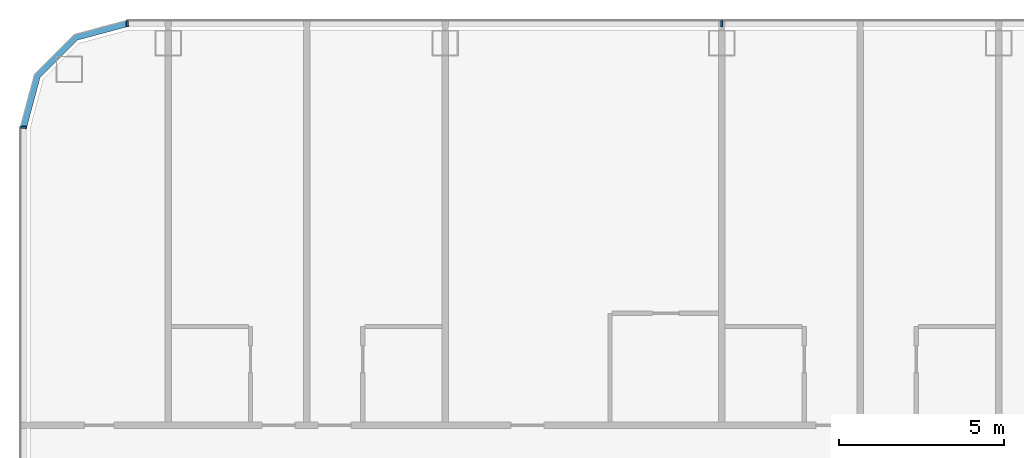
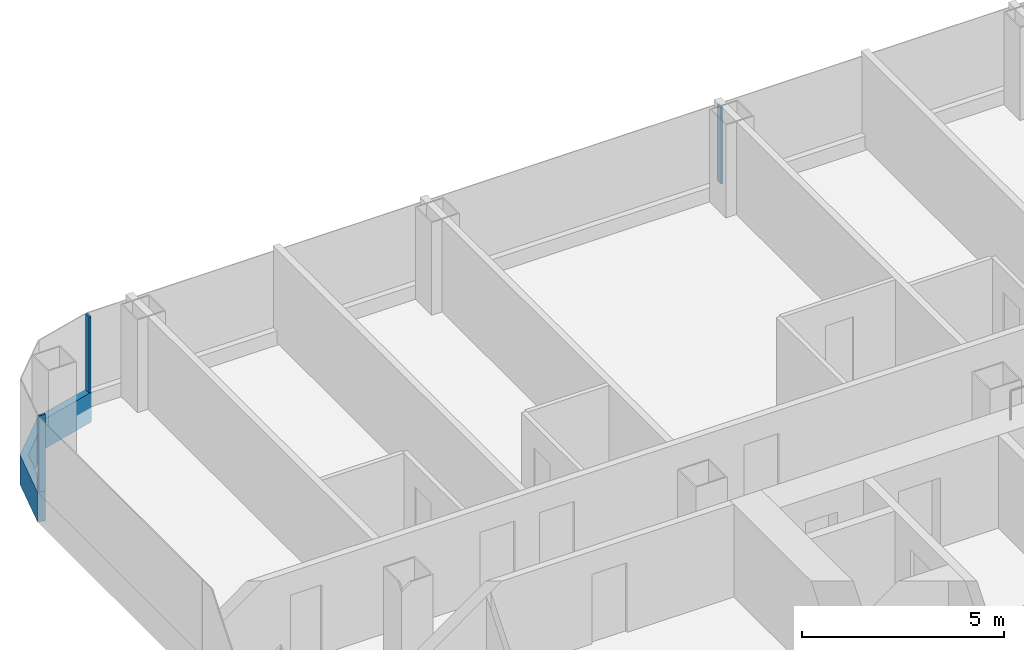
# One storey, part 7 of 29: 4 members, 3 elements without a shape of their own.
"""IFC4 building model written with IfcOpenShell, lengths in metres."""

from ifc_helpers import new_model, si_unit, direction, frame, origin, origin_2d, place, context, subcontext, project, spatial, polyline, rectangle, outline, extrude, material, layer, layer_set, material_profile, profile_set, type_object, element, aggregate, save


model = new_model("IFC4")

# Units and contexts
model_context = context("Model", 3, precision=1e-05, world=origin(), true_north=direction((0.0, 1.0)))
body_context = subcontext(model_context, "Body", "Model", "MODEL_VIEW")
ifc_project = project(units=[si_unit("LENGTHUNIT", "METRE"), si_unit("AREAUNIT", "SQUARE_METRE"), si_unit("VOLUMEUNIT", "CUBIC_METRE"), si_unit("PLANEANGLEUNIT", "RADIAN"), si_unit("MASSUNIT", "GRAM", prefix="KILO")], contexts=[model_context])

# Site, building, storey
site_placement = place(None, origin())
site = spatial("IfcSite", under=ifc_project, at=site_placement, CompositionType="ELEMENT")
building_placement = place(site_placement, origin())
building = spatial("IfcBuilding", under=site, at=building_placement, Name="Hakoniwa Tower and Hamabe Station Hall", CompositionType="ELEMENT")
storey_placement = place(building_placement, frame((0.0, 0.0, 97.800048828125)))
storey = spatial("IfcBuildingStorey", under=building, at=storey_placement, Name="L27", CompositionType="ELEMENT", Elevation=97.800048828125)

# Curtain wall, member
ifc_material_1 = material(Name="Dark low-e laminated glass", Category="glass")
ifc_layer = layer(ifc_material_1, 0.199951171875)
ifc_layer_set = layer_set([ifc_layer], Name="CW-1 UNITISED GUEST")
curtain_wall_type = type_object("IfcCurtainWallType", Name="CW-1 UNITISED GUEST", PredefinedType="NOTDEFINED", material=ifc_layer_set)
curtain_wall_1_placement = place(storey_placement, origin())
curtain_wall_1 = element("IfcCurtainWall", 1, at=curtain_wall_1_placement, inside=storey, type_object=curtain_wall_type, Name="CW-1 curtain wall", PredefinedType="NOTDEFINED")
ifc_material_2 = material(Name="Aluminium 6063-T5 black anodised", Category="aluminium")
ifc_material_profile_1 = material_profile(ifc_material_2, rectangle(XDim=0.199951171875, YDim=0.89990234375, at=origin_2d()), Name="CW SLAB-EDGE BAND 900X200")
ifc_profile_set_1 = profile_set([ifc_material_profile_1], Name="Aluminium 6063-T5 black anodised")
member_type_1 = type_object("IfcMemberType", Name="CW SLAB-EDGE BAND 900X200", PredefinedType="USERDEFINED", material=ifc_profile_set_1)
member_1_placement = place(storey_placement, frame((0.0, 0.0, -0.550048828125)))
member_1 = element("IfcMember", 2, at=member_1_placement, type_object=member_type_1, Name="CW-1 transom", ObjectType="TRANSOM", PredefinedType="USERDEFINED", context=body_context, shape_type="SweptSolid", body=[
    extrude(outline(polyline([(-43.239501953125, 23.550048828125), (-44.855224609375, 23.116943359375), (-46.067138671875, 21.9052734375), (-46.5, 20.28955078125), (-46.306884765625, 20.23779296875), (-45.8876953125, 21.8017578125), (-44.751708984375, 22.937744140625), (-43.187744140625, 23.35693359375), (-43.239501953125, 23.550048828125)])), origin(), (0.0, 0.0, 1.0), 0.89990234375),
])
aggregate(curtain_wall_1, [member_1])

# Curtain wall, members
curtain_wall_2_placement = place(storey_placement, origin())
curtain_wall_2 = element("IfcCurtainWall", 3, at=curtain_wall_2_placement, inside=storey, type_object=curtain_wall_type, Name="CW-1 curtain wall", PredefinedType="NOTDEFINED")
ifc_material_3 = material(Name="Aluminium 6063-T5 black anodised", Category="aluminium")
ifc_material_profile_2 = material_profile(ifc_material_3, rectangle(XDim=0.06005859375, YDim=0.179931640625, at=origin_2d()), Name="CW-1 MULLION 60X180")
ifc_profile_set_2 = profile_set([ifc_material_profile_2], Name="Aluminium 6063-T5 black anodised")
member_type_2 = type_object("IfcMemberType", Name="CW-1 MULLION 60X180", PredefinedType="MULLION", material=ifc_profile_set_2)
member_2_placement = place(storey_placement, frame((-25.199951171875, 23.431884765625, 0.349853515625), z_axis=(0.0, 0.0, 1.0), x_axis=(-1.0, 0.0, 0.0)))
member_2 = element("IfcMember", 4, at=member_2_placement, type_object=member_type_2, Name="CW-1 mullion", PredefinedType="MULLION", context=body_context, shape_type="SweptSolid", body=[
    extrude(rectangle(XDim=0.06005859375, YDim=0.179931640625, at=origin_2d()), origin(), (0.0, 0.0, 1.0), 2.300048828125),
])
member_3_placement = place(storey_placement, frame((-43.239501953125, 23.431884765625, 0.349853515625), z_axis=(0.0, 0.0, 1.0), x_axis=(-1.0, 0.0, 0.0)))
member_3 = element("IfcMember", 5, at=member_3_placement, type_object=member_type_2, Name="CW-1 mullion", PredefinedType="MULLION", context=body_context, shape_type="SweptSolid", body=[
    extrude(rectangle(XDim=0.06005859375, YDim=0.179931640625, at=origin_2d()), origin(), (0.0, 0.0, 1.0), 2.300048828125),
])
aggregate(curtain_wall_2, [member_2, member_3])

# Curtain wall, member
curtain_wall_3_placement = place(storey_placement, origin())
curtain_wall_3 = element("IfcCurtainWall", 6, at=curtain_wall_3_placement, inside=storey, type_object=curtain_wall_type, Name="CW-1 curtain wall", PredefinedType="NOTDEFINED")
member_4_placement = place(storey_placement, frame((-46.382080078125, 20.28955078125, 0.349853515625), z_axis=(0.0, 0.0, 1.0), x_axis=(0.0, -1.0, 0.0)))
member_4 = element("IfcMember", 7, at=member_4_placement, type_object=member_type_2, Name="CW-1 mullion", PredefinedType="MULLION", context=body_context, shape_type="SweptSolid", body=[
    extrude(rectangle(XDim=0.06005859375, YDim=0.179931640625, at=origin_2d()), origin(), (0.0, 0.0, 1.0), 2.300048828125),
])
aggregate(curtain_wall_3, [member_4])

save(model, "model.ifc")
